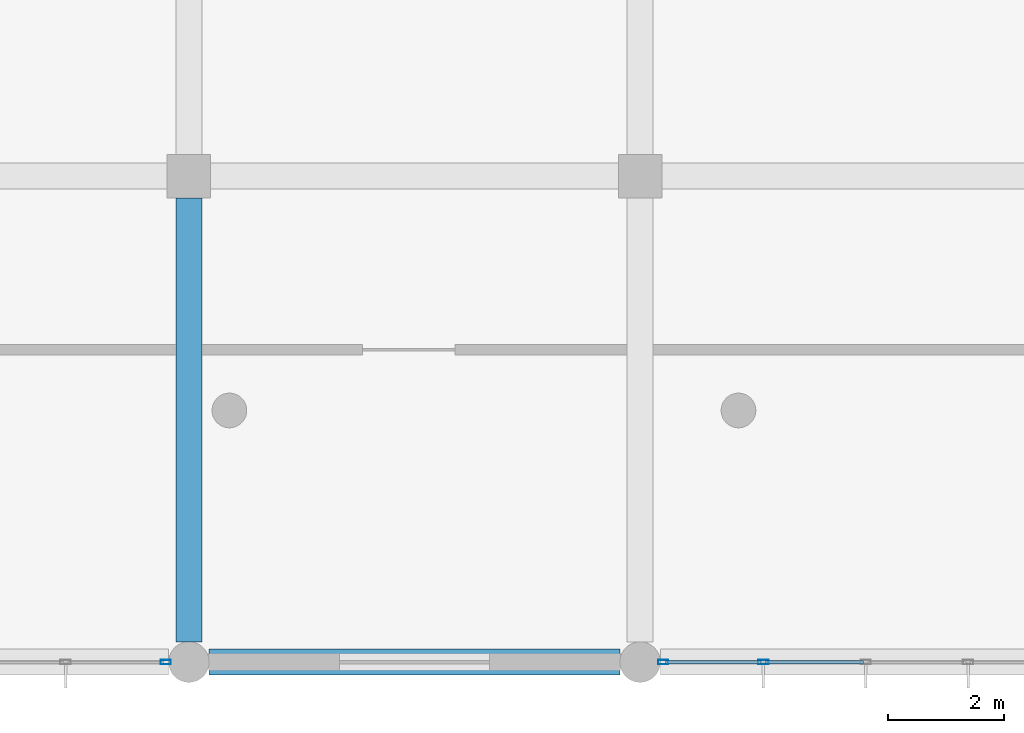
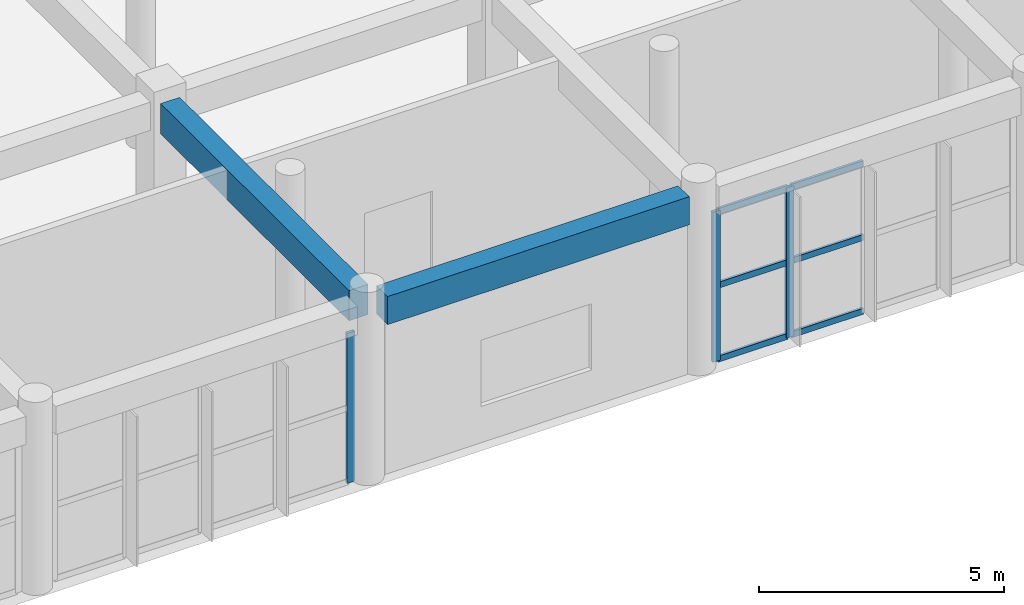
# One storey, part 33 of 167: 9 members, 2 beams, 2 elements without a shape of their own.
"""IFC4 building model written with IfcOpenShell, lengths in metres."""

from ifc_helpers import new_model, si_unit, direction, frame, origin, origin_2d, place, context, subcontext, project, spatial, rectangle, hollow_rectangle, extrude, material, layer, layer_set, material_profile, profile_set, type_object, element, aggregate, save


model = new_model("IFC4")

# Units and contexts
model_context = context("Model", 3, precision=1e-05, world=origin(), true_north=direction((0.0, 1.0)))
body_context = subcontext(model_context, "Body", "Model", "MODEL_VIEW")
ifc_project = project(units=[si_unit("LENGTHUNIT", "METRE"), si_unit("AREAUNIT", "SQUARE_METRE"), si_unit("VOLUMEUNIT", "CUBIC_METRE"), si_unit("PLANEANGLEUNIT", "RADIAN"), si_unit("MASSUNIT", "GRAM", prefix="KILO")], contexts=[model_context])

# Site, building, storey
site_placement = place(None, origin())
site = spatial("IfcSite", under=ifc_project, at=site_placement, CompositionType="ELEMENT")
building_placement = place(site_placement, origin())
building = spatial("IfcBuilding", under=site, at=building_placement, Name="Zizhar Promenade General Hospital", CompositionType="ELEMENT")
storey_placement = place(building_placement, frame((0.0, 0.0, 9.60009765625)))
storey = spatial("IfcBuildingStorey", under=building, at=storey_placement, Name="L02", CompositionType="ELEMENT", Elevation=9.60009765625)

# Beams
ifc_material_1 = material(Name="Concrete C35/45", Category="concrete")
ifc_material_profile_1 = material_profile(ifc_material_1, rectangle(XDim=0.449951171875, YDim=0.699951171875, at=origin_2d()))
ifc_profile_set_1 = profile_set([ifc_material_profile_1], Name="Concrete C35/45")
beam_type_1 = type_object("IfcBeamType", Name="BM-RC-450x700", PredefinedType="BEAM", material=ifc_profile_set_1)
beam_1_placement = place(storey_placement, frame((109.550048828125, 0.0, 4.119873046875), z_axis=(1.0, 0.0, 0.0), x_axis=(0.0, 1.0, 0.0)))
element("IfcBeam", 1, at=beam_1_placement, inside=storey, type_object=beam_type_1, Name="Grid Beam X L02 (14-0)", PredefinedType="BEAM", context=body_context, shape_type="SweptSolid", body=[
    extrude(rectangle(XDim=0.449951171875, YDim=0.699951171875, at=origin_2d()), origin(), (0.0, 0.0, 1.0), 7.099853515625),
])
ifc_material_2 = material(Name="Concrete C35/45", Category="concrete")
ifc_material_profile_2 = material_profile(ifc_material_2, rectangle(XDim=0.449951171875, YDim=0.75, at=origin_2d()))
ifc_profile_set_2 = profile_set([ifc_material_profile_2], Name="Concrete C35/45")
beam_type_2 = type_object("IfcBeamType", Name="BM-RC-450x750", PredefinedType="BEAM", material=ifc_profile_set_2)
beam_2_placement = place(storey_placement, frame((109.199951171875, 0.35009765625, 4.094970703125), z_axis=(0.0, 1.0, 0.0), x_axis=(-1.0, 0.0, 0.0)))
element("IfcBeam", 2, at=beam_2_placement, inside=storey, type_object=beam_type_2, Name="Grid Beam Y L02 (14-0)", PredefinedType="BEAM", context=body_context, shape_type="SweptSolid", body=[
    extrude(rectangle(XDim=0.449951171875, YDim=0.75, at=origin_2d()), origin(), (0.0, 0.0, 1.0), 7.6748046875),
])

# Curtain wall, member
ifc_material_3 = material(Name="Anodised aluminium 6063-T6 and low-E glass", Category="aluminium")
ifc_layer = layer(ifc_material_3, 0.159912109375)
ifc_layer_set = layer_set([ifc_layer], Name="Anodised aluminium 6063-T6 and low-E glass")
curtain_wall_type = type_object("IfcCurtainWallType", Name="CW-DT-MOD1", PredefinedType="NOTDEFINED", material=ifc_layer_set)
curtain_wall_1_placement = place(storey_placement, origin())
curtain_wall_1 = element("IfcCurtainWall", 3, at=curtain_wall_1_placement, inside=storey, type_object=curtain_wall_type, Name="Riverfront Clinical Curtain Wall L02-12", PredefinedType="NOTDEFINED")
ifc_material_4 = material(Name="Anodised aluminium 6063-T6", Category="aluminium")
ifc_material_profile_3 = material_profile(ifc_material_4, hollow_rectangle(XDim=0.080078125, YDim=0.179931640625, WallThickness=0.0048828125, at=origin_2d()))
ifc_profile_set_3 = profile_set([ifc_material_profile_3], Name="Anodised aluminium 6063-T6")
member_type_1 = type_object("IfcMemberType", Name="CWM-ALU-180x80", PredefinedType="MULLION", material=ifc_profile_set_3)
member_1_placement = place(storey_placement, frame((108.800048828125, 0.0, 0.0), z_axis=(0.0, 0.0, 1.0), x_axis=(0.0, -1.0, 0.0)))
member_1 = element("IfcMember", 4, at=member_1_placement, type_object=member_type_1, Name="CW-07 mullion 1", PredefinedType="MULLION", context=body_context, shape_type="SweptSolid", body=[
    extrude(hollow_rectangle(XDim=0.080078125, YDim=0.179931640625, WallThickness=0.0048828125, at=origin_2d()), origin(), (0.0, 0.0, 1.0), 3.72998046875),
])
aggregate(curtain_wall_1, [member_1])

# Curtain wall, members
curtain_wall_2_placement = place(storey_placement, origin())
curtain_wall_2 = element("IfcCurtainWall", 5, at=curtain_wall_2_placement, inside=storey, type_object=curtain_wall_type, Name="Riverfront Clinical Curtain Wall L02-14", PredefinedType="NOTDEFINED")
member_2_placement = place(storey_placement, frame((119.1298828125, 0.0, 0.0), z_axis=(0.0, 0.0, 1.0), x_axis=(0.0, -1.0, 0.0)))
member_2 = element("IfcMember", 6, at=member_2_placement, type_object=member_type_1, Name="CW-07 mullion 4", PredefinedType="MULLION", context=body_context, shape_type="SweptSolid", body=[
    extrude(hollow_rectangle(XDim=0.080078125, YDim=0.179931640625, WallThickness=0.0048828125, at=origin_2d()), origin(), (0.0, 0.0, 1.0), 3.72998046875),
])
member_3_placement = place(storey_placement, frame((117.39990234375, 0.0, 0.0), z_axis=(0.0, 0.0, 1.0), x_axis=(0.0, -1.0, 0.0)))
member_3 = element("IfcMember", 7, at=member_3_placement, type_object=member_type_1, Name="CW-07 mullion 5", PredefinedType="MULLION", context=body_context, shape_type="SweptSolid", body=[
    extrude(hollow_rectangle(XDim=0.080078125, YDim=0.179931640625, WallThickness=0.0048828125, at=origin_2d()), origin(), (0.0, 0.0, 1.0), 3.72998046875),
])
ifc_material_5 = material(Name="Anodised aluminium 6063-T6", Category="aluminium")
ifc_material_profile_4 = material_profile(ifc_material_5, hollow_rectangle(XDim=0.06005859375, YDim=0.14990234375, WallThickness=0.00390625, at=origin_2d()))
ifc_profile_set_4 = profile_set([ifc_material_profile_4], Name="Anodised aluminium 6063-T6")
member_type_2 = type_object("IfcMemberType", Name="CWT-ALU-150x60", PredefinedType="USERDEFINED", material=ifc_profile_set_4)
member_4_placement = place(storey_placement, frame((120.860107421875, 0.0, 0.02978515625), z_axis=(-1.0, 0.0, 0.0), x_axis=(0.0, -1.0, 0.0)))
member_4 = element("IfcMember", 8, at=member_4_placement, type_object=member_type_2, Name="CW-07 transom 3.1", ObjectType="TRANSOM", PredefinedType="USERDEFINED", context=body_context, shape_type="SweptSolid", body=[
    extrude(hollow_rectangle(XDim=0.06005859375, YDim=0.14990234375, WallThickness=0.00390625, at=origin_2d()), origin(), (0.0, 0.0, 1.0), 1.690185546875),
])
member_5_placement = place(storey_placement, frame((120.860107421875, 0.0, 1.864990234375), z_axis=(-1.0, 0.0, 0.0), x_axis=(0.0, -1.0, 0.0)))
member_5 = element("IfcMember", 9, at=member_5_placement, type_object=member_type_2, Name="CW-07 transom 3.2", ObjectType="TRANSOM", PredefinedType="USERDEFINED", context=body_context, shape_type="SweptSolid", body=[
    extrude(hollow_rectangle(XDim=0.06005859375, YDim=0.14990234375, WallThickness=0.00390625, at=origin_2d()), origin(), (0.0, 0.0, 1.0), 1.690185546875),
])
member_6_placement = place(storey_placement, frame((120.860107421875, 0.0, 3.699951171875), z_axis=(-1.0, 0.0, 0.0), x_axis=(0.0, -1.0, 0.0)))
member_6 = element("IfcMember", 10, at=member_6_placement, type_object=member_type_2, Name="CW-07 transom 3.3", ObjectType="TRANSOM", PredefinedType="USERDEFINED", context=body_context, shape_type="SweptSolid", body=[
    extrude(hollow_rectangle(XDim=0.06005859375, YDim=0.14990234375, WallThickness=0.00390625, at=origin_2d()), origin(), (0.0, 0.0, 1.0), 1.690185546875),
])
member_7_placement = place(storey_placement, frame((119.090087890625, 0.0, 0.02978515625), z_axis=(-1.0, 0.0, 0.0), x_axis=(0.0, -1.0, 0.0)))
member_7 = element("IfcMember", 11, at=member_7_placement, type_object=member_type_2, Name="CW-07 transom 4.1", ObjectType="TRANSOM", PredefinedType="USERDEFINED", context=body_context, shape_type="SweptSolid", body=[
    extrude(hollow_rectangle(XDim=0.06005859375, YDim=0.14990234375, WallThickness=0.00390625, at=origin_2d()), origin(), (0.0, 0.0, 1.0), 1.650146484375),
])
member_8_placement = place(storey_placement, frame((119.090087890625, 0.0, 1.864990234375), z_axis=(-1.0, 0.0, 0.0), x_axis=(0.0, -1.0, 0.0)))
member_8 = element("IfcMember", 12, at=member_8_placement, type_object=member_type_2, Name="CW-07 transom 4.2", ObjectType="TRANSOM", PredefinedType="USERDEFINED", context=body_context, shape_type="SweptSolid", body=[
    extrude(hollow_rectangle(XDim=0.06005859375, YDim=0.14990234375, WallThickness=0.00390625, at=origin_2d()), origin(), (0.0, 0.0, 1.0), 1.650146484375),
])
member_9_placement = place(storey_placement, frame((119.090087890625, 0.0, 3.699951171875), z_axis=(-1.0, 0.0, 0.0), x_axis=(0.0, -1.0, 0.0)))
member_9 = element("IfcMember", 13, at=member_9_placement, type_object=member_type_2, Name="CW-07 transom 4.3", ObjectType="TRANSOM", PredefinedType="USERDEFINED", context=body_context, shape_type="SweptSolid", body=[
    extrude(hollow_rectangle(XDim=0.06005859375, YDim=0.14990234375, WallThickness=0.00390625, at=origin_2d()), origin(), (0.0, 0.0, 1.0), 1.650146484375),
])
aggregate(curtain_wall_2, [member_2, member_3, member_4, member_5, member_6, member_7, member_8, member_9])

save(model, "model.ifc")
